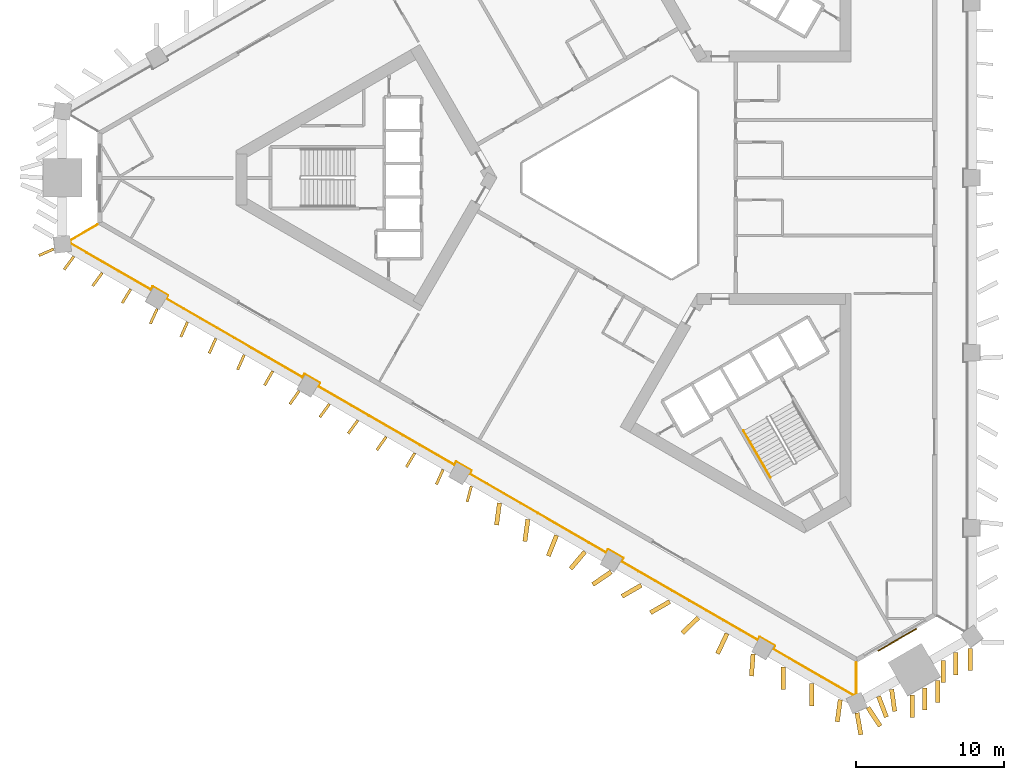
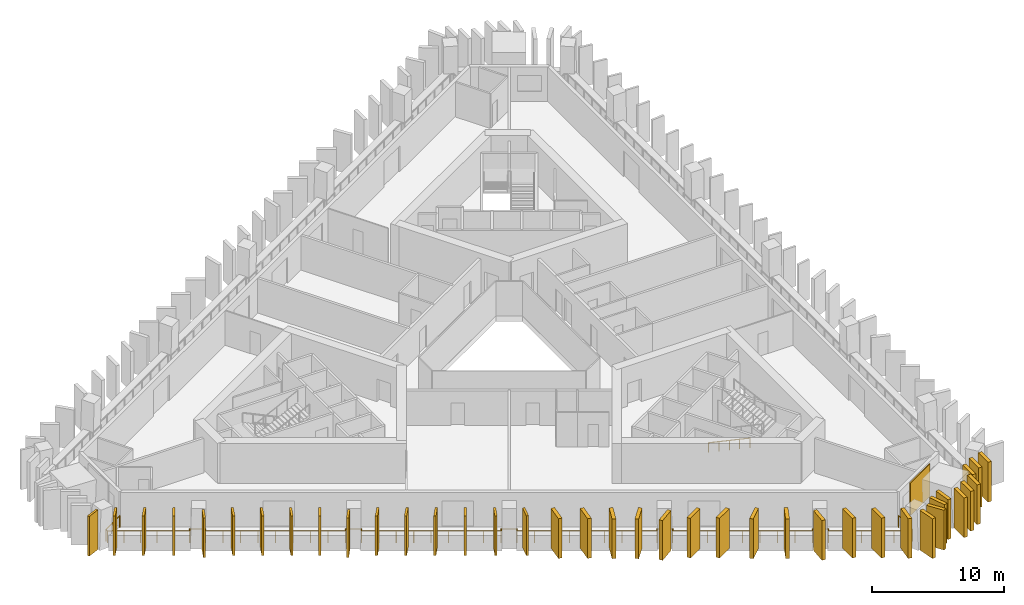
# One storey, part 8 of 11: 39 shading devices, 2 railings, 1 covering.
"""IFC4 building model written with IfcOpenShell, lengths in metres."""

from ifc_helpers import new_model, si_unit, direction, frame, frame_2d, origin, origin_2d, place, context, subcontext, project, spatial, rectangle, circle, extrude, material, layer, layer_set, type_object, element, save


model = new_model("IFC4")

# Units and contexts
model_context = context("Model", 3, precision=1e-05, world=origin(), true_north=direction((0.0, 1.0)))
body_context = subcontext(model_context, "Body", "Model", "MODEL_VIEW")
ifc_project = project(units=[si_unit("LENGTHUNIT", "METRE"), si_unit("AREAUNIT", "SQUARE_METRE"), si_unit("VOLUMEUNIT", "CUBIC_METRE"), si_unit("PLANEANGLEUNIT", "RADIAN"), si_unit("MASSUNIT", "GRAM", prefix="KILO")], contexts=[model_context])

# Site, building, storey
site_placement = place(None, origin())
site = spatial("IfcSite", under=ifc_project, at=site_placement, CompositionType="ELEMENT")
building_placement = place(site_placement, origin())
building = spatial("IfcBuilding", under=site, at=building_placement, Name="Jabali Bay Hotel Tower and Convention Centre", CompositionType="ELEMENT")
storey_placement = place(building_placement, frame((0.0, 0.0, 79.5)))
storey = spatial("IfcBuildingStorey", under=building, at=storey_placement, Name="L18", CompositionType="ELEMENT", Elevation=79.5)

# Railing
ifc_material_1 = material(Name="Glass", Category="glass")
railing_type_1 = type_object("IfcRailingType", Name="Loggia glass guard 1100", PredefinedType="BALUSTRADE", material=ifc_material_1)
railing_1_placement = place(storey_placement, frame((90.2265625, 47.305908203125, 0.0)))
element("IfcRailing", 1, at=railing_1_placement, inside=storey, type_object=railing_type_1, Name="Loggia glass guard L18", PredefinedType="BALUSTRADE", context=body_context, shape_type="SweptSolid", body=[
    extrude(circle(Radius=0.02490234375, at=origin_2d()), frame((0.0, 0.0, 1.0751953125), z_axis=(0.0, -1.0, 0.0), x_axis=(0.991444861374, 0.0, 0.13052619222)), (0.0, 0.0, 1.0), 2.110595703125),
    extrude(circle(Radius=0.02490234375, at=origin_2d()), frame((0.0, -2.110595703125, 1.0751953125), z_axis=(-0.918438029816, -0.395564894029, 0.0), x_axis=(0.392180781525, -0.910580665151, 0.13052619222)), (0.0, 0.0, 1.0), 0.21484375),
    extrude(circle(Radius=0.02490234375, at=origin_2d()), frame((-0.197265625, -2.195556640625, 1.0751953125), z_axis=(-0.866018034705, 0.500012763403, 0.0), x_axis=(-0.495735084898, -0.858609130365, 0.13052619222)), (0.0, 0.0, 1.0), 6.236083984375),
    extrude(circle(Radius=0.02490234375, at=origin_2d()), frame((-5.597900390625, 0.922607421875, 1.0751953125), z_axis=(0.499919672301, 0.866071776036, 0.0), x_axis=(-0.858662411932, 0.495642790202, 0.13052619222)), (0.0, 0.0, 1.0), 0.25),
    extrude(circle(Radius=0.02490234375, at=origin_2d()), frame((-5.472900390625, 1.13916015625, 1.0751953125), z_axis=(-0.866094119867, 0.499880961361, 0.0), x_axis=(-0.49560441044, -0.858684564609, 0.13052619222)), (0.0, 0.0, 1.0), 1.199951171875),
    extrude(circle(Radius=0.02490234375, at=origin_2d()), frame((-6.51220703125, 1.739013671875, 1.0751953125), z_axis=(-0.500342721131, -0.865827443207, 0.0), x_axis=(0.858420169404, -0.496062219791, 0.13052619222)), (0.0, 0.0, 1.0), 0.249755859375),
    extrude(circle(Radius=0.02490234375, at=origin_2d()), frame((-6.63720703125, 1.522705078125, 1.0751953125), z_axis=(-0.866033109494, 0.499986653082, 0.0), x_axis=(-0.495709197954, -0.858624076187, 0.13052619222)), (0.0, 0.0, 1.0), 10.612060546875),
    extrude(circle(Radius=0.02490234375, at=origin_2d()), frame((-15.82763671875, 6.82861328125, 1.0751953125), z_axis=(0.499919672301, 0.866071776036, 0.0), x_axis=(-0.858662411932, 0.495642790202, 0.13052619222)), (0.0, 0.0, 1.0), 0.25),
    extrude(circle(Radius=0.02490234375, at=origin_2d()), frame((-15.70263671875, 7.045166015625, 1.0751953125), z_axis=(-0.866006032174, 0.500033551112, 0.0), x_axis=(-0.495755694765, -0.858597230518, 0.13052619222)), (0.0, 0.0, 1.0), 1.2001953125),
    extrude(circle(Radius=0.02490234375, at=origin_2d()), frame((-16.741943359375, 7.645263671875, 1.0751953125), z_axis=(-0.499919672301, -0.866071776036, 0.0), x_axis=(0.858662411932, -0.495642790202, 0.13052619222)), (0.0, 0.0, 1.0), 0.25),
    extrude(circle(Radius=0.02490234375, at=origin_2d()), frame((-16.866943359375, 7.4287109375, 1.0751953125), z_axis=(-0.866023147778, 0.500003907497, 0.0), x_axis=(-0.495726304755, -0.858614199696, 0.13052619222)), (0.0, 0.0, 1.0), 10.6123046875),
    extrude(circle(Radius=0.02490234375, at=origin_2d()), frame((-26.057373046875, 12.73486328125, 1.0751953125), z_axis=(0.500342721131, 0.865827443207, 0.0), x_axis=(-0.858420169404, 0.496062219791, 0.13052619222)), (0.0, 0.0, 1.0), 0.249755859375),
    extrude(circle(Radius=0.02490234375, at=origin_2d()), frame((-25.932373046875, 12.951171875, 1.0751953125), z_axis=(-0.865955154139, 0.50012165622, 0.0), x_axis=(-0.495843046121, -0.858546787751, 0.13052619222)), (0.0, 0.0, 1.0), 1.199951171875),
    extrude(circle(Radius=0.02490234375, at=origin_2d()), frame((-26.971435546875, 13.55126953125, 1.0751953125), z_axis=(-0.499919672301, -0.866071776036, 0.0), x_axis=(0.858662411932, -0.495642790202, 0.13052619222)), (0.0, 0.0, 1.0), 0.25),
    extrude(circle(Radius=0.02490234375, at=origin_2d()), frame((-27.096435546875, 13.334716796875, 1.0751953125), z_axis=(-0.866023147778, 0.500003907497, 0.0), x_axis=(-0.495726304755, -0.858614199696, 0.13052619222)), (0.0, 0.0, 1.0), 10.6123046875),
    extrude(circle(Radius=0.02490234375, at=origin_2d()), frame((-36.286865234375, 18.640869140625, 1.0751953125), z_axis=(0.499919672301, 0.866071776036, 0.0), x_axis=(-0.858662411932, 0.495642790202, 0.13052619222)), (0.0, 0.0, 1.0), 0.25),
    extrude(circle(Radius=0.02490234375, at=origin_2d()), frame((-36.161865234375, 18.857421875, 1.0751953125), z_axis=(-0.866094119867, 0.499880961361, 0.0), x_axis=(-0.49560441044, -0.858684564609, 0.13052619222)), (0.0, 0.0, 1.0), 1.199951171875),
    extrude(circle(Radius=0.02490234375, at=origin_2d()), frame((-37.201171875, 19.457275390625, 1.0751953125), z_axis=(-0.499919672301, -0.866071776036, 0.0), x_axis=(0.858662411932, -0.495642790202, 0.13052619222)), (0.0, 0.0, 1.0), 0.25),
    extrude(circle(Radius=0.02490234375, at=origin_2d()), frame((-37.326171875, 19.24072265625, 1.0751953125), z_axis=(-0.866023147778, 0.500003907497, 0.0), x_axis=(-0.495726304755, -0.858614199696, 0.13052619222)), (0.0, 0.0, 1.0), 10.6123046875),
    extrude(circle(Radius=0.02490234375, at=origin_2d()), frame((-46.5166015625, 24.546875, 1.0751953125), z_axis=(0.499919672301, 0.866071776036, 0.0), x_axis=(-0.858662411932, 0.495642790202, 0.13052619222)), (0.0, 0.0, 1.0), 0.25),
    extrude(circle(Radius=0.02490234375, at=origin_2d()), frame((-46.3916015625, 24.763427734375, 1.0751953125), z_axis=(-0.865955154139, 0.50012165622, 0.0), x_axis=(-0.495843046121, -0.858546787751, 0.13052619222)), (0.0, 0.0, 1.0), 1.199951171875),
    extrude(circle(Radius=0.02490234375, at=origin_2d()), frame((-47.4306640625, 25.363525390625, 1.0751953125), z_axis=(-0.499919672301, -0.866071776036, 0.0), x_axis=(0.858662411932, -0.495642790202, 0.13052619222)), (0.0, 0.0, 1.0), 0.25),
    extrude(circle(Radius=0.02490234375, at=origin_2d()), frame((-47.5556640625, 25.14697265625, 1.0751953125), z_axis=(-0.866027821991, 0.499995811521, 0.0), x_axis=(-0.495718278041, -0.858618833919, 0.13052619222)), (0.0, 0.0, 1.0), 6.236328125),
    extrude(circle(Radius=0.02490234375, at=origin_2d()), frame((-52.95654296875, 28.26513671875, 1.0751953125), z_axis=(-0.116049066602, 0.993243481801, 0.0), x_axis=(-0.984746146125, -0.11505625075, 0.13052619222)), (0.0, 0.0, 1.0), 0.214599609375),
    extrude(circle(Radius=0.02490234375, at=origin_2d()), frame((-52.9814453125, 28.478271484375, 1.0751953125), z_axis=(0.866006443985, 0.500032837899, 0.0), x_axis=(-0.495754987653, 0.858597638805, 0.13052619222)), (0.0, 0.0, 1.0), 2.110595703125),
    extrude(circle(Radius=0.02001953125, at=origin_2d()), origin(), (0.0, 0.0, 1.0), 1.050048828125),
    extrude(circle(Radius=0.02001953125, at=origin_2d()), frame((0.0, -1.05517578125, 0.0)), (0.0, 0.0, 1.0), 1.050048828125),
    extrude(circle(Radius=0.02001953125, at=origin_2d()), frame((0.0, -2.110595703125, 0.0)), (0.0, 0.0, 1.0), 1.050048828125),
    extrude(circle(Radius=0.02001953125, at=origin_2d()), frame((-0.197265625, -2.195556640625, 0.0)), (0.0, 0.0, 1.0), 1.050048828125),
    extrude(circle(Radius=0.02001953125, at=origin_2d()), frame((-1.27734375, -1.572021484375, 0.0)), (0.0, 0.0, 1.0), 1.050048828125),
    extrude(circle(Radius=0.02001953125, at=origin_2d()), frame((-2.357421875, -0.9482421875, 0.0)), (0.0, 0.0, 1.0), 1.050048828125),
    extrude(circle(Radius=0.02001953125, at=origin_2d()), frame((-3.437744140625, -0.32470703125, 0.0)), (0.0, 0.0, 1.0), 1.050048828125),
    extrude(circle(Radius=0.02001953125, at=origin_2d()), frame((-4.517822265625, 0.299072265625, 0.0)), (0.0, 0.0, 1.0), 1.050048828125),
    extrude(circle(Radius=0.02001953125, at=origin_2d()), frame((-5.597900390625, 0.922607421875, 0.0)), (0.0, 0.0, 1.0), 1.050048828125),
    extrude(circle(Radius=0.02001953125, at=origin_2d()), frame((-5.472900390625, 1.13916015625, 0.0)), (0.0, 0.0, 1.0), 1.050048828125),
    extrude(circle(Radius=0.02001953125, at=origin_2d()), frame((-6.51220703125, 1.739013671875, 0.0)), (0.0, 0.0, 1.0), 1.050048828125),
    extrude(circle(Radius=0.02001953125, at=origin_2d()), frame((-6.63720703125, 1.522705078125, 0.0)), (0.0, 0.0, 1.0), 1.050048828125),
    extrude(circle(Radius=0.02001953125, at=origin_2d()), frame((-7.7861328125, 2.18603515625, 0.0)), (0.0, 0.0, 1.0), 1.050048828125),
    extrude(circle(Radius=0.02001953125, at=origin_2d()), frame((-8.934814453125, 2.84912109375, 0.0)), (0.0, 0.0, 1.0), 1.050048828125),
    extrude(circle(Radius=0.02001953125, at=origin_2d()), frame((-10.08349609375, 3.512451171875, 0.0)), (0.0, 0.0, 1.0), 1.050048828125),
    extrude(circle(Radius=0.02001953125, at=origin_2d()), frame((-11.232421875, 4.17578125, 0.0)), (0.0, 0.0, 1.0), 1.050048828125),
    extrude(circle(Radius=0.02001953125, at=origin_2d()), frame((-12.38134765625, 4.8388671875, 0.0)), (0.0, 0.0, 1.0), 1.050048828125),
    extrude(circle(Radius=0.02001953125, at=origin_2d()), frame((-13.530029296875, 5.502197265625, 0.0)), (0.0, 0.0, 1.0), 1.050048828125),
    extrude(circle(Radius=0.02001953125, at=origin_2d()), frame((-14.6787109375, 6.165283203125, 0.0)), (0.0, 0.0, 1.0), 1.050048828125),
    extrude(circle(Radius=0.02001953125, at=origin_2d()), frame((-15.82763671875, 6.82861328125, 0.0)), (0.0, 0.0, 1.0), 1.050048828125),
    extrude(circle(Radius=0.02001953125, at=origin_2d()), frame((-15.70263671875, 7.045166015625, 0.0)), (0.0, 0.0, 1.0), 1.050048828125),
    extrude(circle(Radius=0.02001953125, at=origin_2d()), frame((-16.741943359375, 7.645263671875, 0.0)), (0.0, 0.0, 1.0), 1.050048828125),
    extrude(circle(Radius=0.02001953125, at=origin_2d()), frame((-16.866943359375, 7.4287109375, 0.0)), (0.0, 0.0, 1.0), 1.050048828125),
    extrude(circle(Radius=0.02001953125, at=origin_2d()), frame((-18.015625, 8.092041015625, 0.0)), (0.0, 0.0, 1.0), 1.050048828125),
    extrude(circle(Radius=0.02001953125, at=origin_2d()), frame((-19.16455078125, 8.75537109375, 0.0)), (0.0, 0.0, 1.0), 1.050048828125),
    extrude(circle(Radius=0.02001953125, at=origin_2d()), frame((-20.3134765625, 9.41845703125, 0.0)), (0.0, 0.0, 1.0), 1.050048828125),
    extrude(circle(Radius=0.02001953125, at=origin_2d()), frame((-21.462158203125, 10.081787109375, 0.0)), (0.0, 0.0, 1.0), 1.050048828125),
    extrude(circle(Radius=0.02001953125, at=origin_2d()), frame((-22.61083984375, 10.7451171875, 0.0)), (0.0, 0.0, 1.0), 1.050048828125),
    extrude(circle(Radius=0.02001953125, at=origin_2d()), frame((-23.759765625, 11.408203125, 0.0)), (0.0, 0.0, 1.0), 1.050048828125),
    extrude(circle(Radius=0.02001953125, at=origin_2d()), frame((-24.90869140625, 12.071533203125, 0.0)), (0.0, 0.0, 1.0), 1.050048828125),
    extrude(circle(Radius=0.02001953125, at=origin_2d()), frame((-26.057373046875, 12.73486328125, 0.0)), (0.0, 0.0, 1.0), 1.050048828125),
    extrude(circle(Radius=0.02001953125, at=origin_2d()), frame((-25.932373046875, 12.951171875, 0.0)), (0.0, 0.0, 1.0), 1.050048828125),
    extrude(circle(Radius=0.02001953125, at=origin_2d()), frame((-26.971435546875, 13.55126953125, 0.0)), (0.0, 0.0, 1.0), 1.050048828125),
    extrude(circle(Radius=0.02001953125, at=origin_2d()), frame((-27.096435546875, 13.334716796875, 0.0)), (0.0, 0.0, 1.0), 1.050048828125),
    extrude(circle(Radius=0.02001953125, at=origin_2d()), frame((-28.2451171875, 13.998046875, 0.0)), (0.0, 0.0, 1.0), 1.050048828125),
    extrude(circle(Radius=0.02001953125, at=origin_2d()), frame((-29.39404296875, 14.6611328125, 0.0)), (0.0, 0.0, 1.0), 1.050048828125),
    extrude(circle(Radius=0.02001953125, at=origin_2d()), frame((-30.54296875, 15.324462890625, 0.0)), (0.0, 0.0, 1.0), 1.050048828125),
    extrude(circle(Radius=0.02001953125, at=origin_2d()), frame((-31.691650390625, 15.98779296875, 0.0)), (0.0, 0.0, 1.0), 1.050048828125),
    extrude(circle(Radius=0.02001953125, at=origin_2d()), frame((-32.84033203125, 16.651123046875, 0.0)), (0.0, 0.0, 1.0), 1.050048828125),
    extrude(circle(Radius=0.02001953125, at=origin_2d()), frame((-33.9892578125, 17.314453125, 0.0)), (0.0, 0.0, 1.0), 1.050048828125),
    extrude(circle(Radius=0.02001953125, at=origin_2d()), frame((-35.13818359375, 17.9775390625, 0.0)), (0.0, 0.0, 1.0), 1.050048828125),
    extrude(circle(Radius=0.02001953125, at=origin_2d()), frame((-36.286865234375, 18.640869140625, 0.0)), (0.0, 0.0, 1.0), 1.050048828125),
    extrude(circle(Radius=0.02001953125, at=origin_2d()), frame((-36.161865234375, 18.857421875, 0.0)), (0.0, 0.0, 1.0), 1.050048828125),
    extrude(circle(Radius=0.02001953125, at=origin_2d()), frame((-37.201171875, 19.457275390625, 0.0)), (0.0, 0.0, 1.0), 1.050048828125),
    extrude(circle(Radius=0.02001953125, at=origin_2d()), frame((-37.326171875, 19.24072265625, 0.0)), (0.0, 0.0, 1.0), 1.050048828125),
    extrude(circle(Radius=0.02001953125, at=origin_2d()), frame((-38.47509765625, 19.904052734375, 0.0)), (0.0, 0.0, 1.0), 1.050048828125),
    extrude(circle(Radius=0.02001953125, at=origin_2d()), frame((-39.623779296875, 20.5673828125, 0.0)), (0.0, 0.0, 1.0), 1.050048828125),
    extrude(circle(Radius=0.02001953125, at=origin_2d()), frame((-40.7724609375, 21.23046875, 0.0)), (0.0, 0.0, 1.0), 1.050048828125),
    extrude(circle(Radius=0.02001953125, at=origin_2d()), frame((-41.92138671875, 21.893798828125, 0.0)), (0.0, 0.0, 1.0), 1.050048828125),
    extrude(circle(Radius=0.02001953125, at=origin_2d()), frame((-43.0703125, 22.55712890625, 0.0)), (0.0, 0.0, 1.0), 1.050048828125),
    extrude(circle(Radius=0.02001953125, at=origin_2d()), frame((-44.218994140625, 23.22021484375, 0.0)), (0.0, 0.0, 1.0), 1.050048828125),
    extrude(circle(Radius=0.02001953125, at=origin_2d()), frame((-45.36767578125, 23.883544921875, 0.0)), (0.0, 0.0, 1.0), 1.050048828125),
    extrude(circle(Radius=0.02001953125, at=origin_2d()), frame((-46.5166015625, 24.546875, 0.0)), (0.0, 0.0, 1.0), 1.050048828125),
    extrude(circle(Radius=0.02001953125, at=origin_2d()), frame((-46.3916015625, 24.763427734375, 0.0)), (0.0, 0.0, 1.0), 1.050048828125),
    extrude(circle(Radius=0.02001953125, at=origin_2d()), frame((-47.4306640625, 25.363525390625, 0.0)), (0.0, 0.0, 1.0), 1.050048828125),
    extrude(circle(Radius=0.02001953125, at=origin_2d()), frame((-47.5556640625, 25.14697265625, 0.0)), (0.0, 0.0, 1.0), 1.050048828125),
    extrude(circle(Radius=0.02001953125, at=origin_2d()), frame((-48.6357421875, 25.7705078125, 0.0)), (0.0, 0.0, 1.0), 1.050048828125),
    extrude(circle(Radius=0.02001953125, at=origin_2d()), frame((-49.716064453125, 26.394287109375, 0.0)), (0.0, 0.0, 1.0), 1.050048828125),
    extrude(circle(Radius=0.02001953125, at=origin_2d()), frame((-50.796142578125, 27.017822265625, 0.0)), (0.0, 0.0, 1.0), 1.050048828125),
    extrude(circle(Radius=0.02001953125, at=origin_2d()), frame((-51.87646484375, 27.6416015625, 0.0)), (0.0, 0.0, 1.0), 1.050048828125),
    extrude(circle(Radius=0.02001953125, at=origin_2d()), frame((-52.95654296875, 28.26513671875, 0.0)), (0.0, 0.0, 1.0), 1.050048828125),
    extrude(circle(Radius=0.02001953125, at=origin_2d()), frame((-52.9814453125, 28.478271484375, 0.0)), (0.0, 0.0, 1.0), 1.050048828125),
    extrude(circle(Radius=0.02001953125, at=origin_2d()), frame((-52.0673828125, 29.005859375, 0.0)), (0.0, 0.0, 1.0), 1.050048828125),
    extrude(circle(Radius=0.02001953125, at=origin_2d()), frame((-51.153564453125, 29.53369140625, 0.0)), (0.0, 0.0, 1.0), 1.050048828125),
])

# Shading devices
ifc_material_2 = material(Name="Precast concrete C60", Category="concrete")
ifc_layer_1 = layer(ifc_material_2, 0.179931640625)
ifc_layer_set_1 = layer_set([ifc_layer_1], Name="Precast concrete C60")
shading_device_type_1 = type_object("IfcShadingDeviceType", Name="Precast fin 3680 x 1100", PredefinedType="USERDEFINED", material=ifc_layer_set_1)
shading_device_1_placement = place(storey_placement, frame((37.47900390625, 74.697021484375, 0.010009765625), z_axis=(0.0, 0.0, 1.0), x_axis=(-0.592229410148, -0.805769399863, 0.0)))
element("IfcShadingDevice", 2, at=shading_device_1_placement, inside=storey, type_object=shading_device_type_1, Name="Fin L18 074", ObjectType="FIN", PredefinedType="USERDEFINED", context=body_context, shape_type="SweptSolid", body=[
    extrude(rectangle(XDim=1.099853515625, YDim=0.179931640625, at=frame_2d((0.5498046875, 0.0))), origin(), (0.0, 0.0, 1.0), 3.679931640625),
])
shading_device_2_placement = place(storey_placement, frame((39.3935546875, 73.592041015625, 0.010009765625), z_axis=(0.0, 0.0, 1.0), x_axis=(-0.589938679947, -0.807448050281, 0.0)))
element("IfcShadingDevice", 3, at=shading_device_2_placement, inside=storey, type_object=shading_device_type_1, Name="Fin L18 075", ObjectType="FIN", PredefinedType="USERDEFINED", context=body_context, shape_type="SweptSolid", body=[
    extrude(rectangle(XDim=1.10009765625, YDim=0.179931640625, at=frame_2d((0.550048828125, 0.0))), origin(), (0.0, 0.0, 1.0), 3.679931640625),
])
shading_device_3_placement = place(storey_placement, frame((41.311767578125, 72.493408203125, 0.010009765625), z_axis=(0.0, 0.0, 1.0), x_axis=(-0.519383517788, -0.854541257898, 0.0)))
element("IfcShadingDevice", 4, at=shading_device_3_placement, inside=storey, type_object=shading_device_type_1, Name="Fin L18 076", ObjectType="FIN", PredefinedType="USERDEFINED", context=body_context, shape_type="SweptSolid", body=[
    extrude(rectangle(XDim=1.099853515625, YDim=0.179931640625, at=frame_2d((0.5498046875, 0.0))), origin(), (0.0, 0.0, 1.0), 3.679931640625),
])
shading_device_4_placement = place(storey_placement, frame((43.093994140625, 71.159423828125, 0.010009765625), z_axis=(0.0, 0.0, 1.0), x_axis=(-0.415240445453, -0.909711697441, 0.0)))
element("IfcShadingDevice", 5, at=shading_device_4_placement, inside=storey, type_object=shading_device_type_1, Name="Fin L18 077", ObjectType="FIN", PredefinedType="USERDEFINED", context=body_context, shape_type="SweptSolid", body=[
    extrude(rectangle(XDim=1.10009765625, YDim=0.179931640625, at=frame_2d((0.550048828125, 0.0))), origin(), (0.0, 0.0, 1.0), 3.679931640625),
])
shading_device_5_placement = place(storey_placement, frame((45.13671875, 70.2763671875, 0.010009765625), z_axis=(0.0, 0.0, 1.0), x_axis=(-0.405994290953, -0.913875612823, 0.0)))
element("IfcShadingDevice", 6, at=shading_device_5_placement, inside=storey, type_object=shading_device_type_1, Name="Fin L18 078", ObjectType="FIN", PredefinedType="USERDEFINED", context=body_context, shape_type="SweptSolid", body=[
    extrude(rectangle(XDim=1.099853515625, YDim=0.179931640625, at=frame_2d((0.5498046875, 0.0))), origin(), (0.0, 0.0, 1.0), 3.679931640625),
])
for number, where, z_axis, x_axis, name in (
    (7, (47.05126953125, 69.171142578125, 0.010009765625), (0.0, 0.0, 1.0), (-0.406097286264, -0.913829849638, 0.0), "Fin L18 079"),
    (8, (48.9658203125, 68.06591796875, 0.010009765625), (0.0, 0.0, 1.0), (-0.407908572916, -0.91302277964, 0.0), "Fin L18 080"),
    (9, (50.884521484375, 66.96826171875, 0.010009765625), (0.0, 0.0, 1.0), (-0.494680334355, -0.869075006431, 0.0), "Fin L18 081"),
):
    element("IfcShadingDevice", number, at=place(storey_placement, frame(where, z_axis=z_axis, x_axis=x_axis)), inside=storey, type_object=shading_device_type_1, Name=name, ObjectType="FIN", PredefinedType="USERDEFINED", context=body_context, shape_type="SweptSolid", body=[
        extrude(rectangle(XDim=1.10009765625, YDim=0.179931640625, at=frame_2d((0.550048828125, 0.0))), origin(), (0.0, 0.0, 1.0), 3.679931640625),
    ])
for number, where, z_axis, x_axis, name in (
    (10, (52.666748046875, 65.6337890625, 0.010009765625), (0.0, 0.0, 1.0), (-0.572195483159, -0.820117265428, 0.0), "Fin L18 082"),
    (11, (54.708740234375, 64.749755859375, 0.010009765625), (0.0, 0.0, 1.0), (-0.589543444377, -0.807736669461, 0.0), "Fin L18 083"),
    (12, (56.623046875, 63.644287109375, 0.010009765625), (0.0, 0.0, 1.0), (-0.59133479399, -0.806426166128, 0.0), "Fin L18 084"),
):
    element("IfcShadingDevice", number, at=place(storey_placement, frame(where, z_axis=z_axis, x_axis=x_axis)), inside=storey, type_object=shading_device_type_1, Name=name, ObjectType="FIN", PredefinedType="USERDEFINED", context=body_context, shape_type="SweptSolid", body=[
        extrude(rectangle(XDim=1.099853515625, YDim=0.179931640625, at=frame_2d((0.5498046875, 0.0))), origin(), (0.0, 0.0, 1.0), 3.679931640625),
    ])
shading_device_6_placement = place(storey_placement, frame((58.538330078125, 62.540283203125, 0.010009765625), z_axis=(0.0, 0.0, 1.0), x_axis=(-0.577937284887, -0.816081181463, 0.0)))
element("IfcShadingDevice", 13, at=shading_device_6_placement, inside=storey, type_object=shading_device_type_1, Name="Fin L18 085", ObjectType="FIN", PredefinedType="USERDEFINED", context=body_context, shape_type="SweptSolid", body=[
    extrude(rectangle(XDim=1.10009765625, YDim=0.179931640625, at=frame_2d((0.550048828125, 0.0))), origin(), (0.0, 0.0, 1.0), 3.679931640625),
])
shading_device_7_placement = place(storey_placement, frame((60.456298828125, 61.441162109375, 0.010009765625), z_axis=(0.0, 0.0, 1.0), x_axis=(-0.5109335666, -0.859620201322, 0.0)))
element("IfcShadingDevice", 14, at=shading_device_7_placement, inside=storey, type_object=shading_device_type_1, Name="Fin L18 086", ObjectType="FIN", PredefinedType="USERDEFINED", context=body_context, shape_type="SweptSolid", body=[
    extrude(rectangle(XDim=1.099853515625, YDim=0.179931640625, at=frame_2d((0.5498046875, 0.0))), origin(), (0.0, 0.0, 1.0), 3.679931640625),
])
shading_device_8_placement = place(storey_placement, frame((62.36669921875, 60.3291015625, 0.010009765625), z_axis=(0.0, 0.0, 1.0), x_axis=(-0.409903233535, -0.912129014525, 0.0)))
element("IfcShadingDevice", 15, at=shading_device_8_placement, inside=storey, type_object=shading_device_type_1, Name="Fin L18 087", ObjectType="FIN", PredefinedType="USERDEFINED", context=body_context, shape_type="SweptSolid", body=[
    extrude(rectangle(XDim=1.10009765625, YDim=0.179931640625, at=frame_2d((0.550048828125, 0.0))), origin(), (0.0, 0.0, 1.0), 3.679931640625),
])
shading_device_9_placement = place(storey_placement, frame((64.27392578125, 59.211181640625, 0.010009765625), z_axis=(0.0, 0.0, 1.0), x_axis=(-0.255935267954, -0.966693921889, 0.0)))
element("IfcShadingDevice", 16, at=shading_device_9_placement, inside=storey, type_object=shading_device_type_1, Name="Fin L18 088", ObjectType="FIN", PredefinedType="USERDEFINED", context=body_context, shape_type="SweptSolid", body=[
    extrude(rectangle(XDim=1.099853515625, YDim=0.179931640625, at=frame_2d((0.5498046875, 0.0))), origin(), (0.0, 0.0, 1.0), 3.679931640625),
])
shading_device_10_placement = place(storey_placement, frame((36.1298828125, 75.197998046875, 0.010009765625), z_axis=(0.0, 0.0, 1.0), x_axis=(-0.916833488552, -0.399269776303, 0.0)))
element("IfcShadingDevice", 17, at=shading_device_10_placement, inside=storey, type_object=shading_device_type_1, Name="Fin L18 115", ObjectType="FIN", PredefinedType="USERDEFINED", context=body_context, shape_type="SweptSolid", body=[
    extrude(rectangle(XDim=1.10009765625, YDim=0.179931640625, at=frame_2d((0.550048828125, 0.0))), origin(), (0.0, 0.0, 1.0), 3.679931640625),
])
ifc_layer_2 = layer(ifc_material_2, 0.300048828125)
ifc_layer_set_2 = layer_set([ifc_layer_2], Name="Precast concrete C60")
shading_device_type_2 = type_object("IfcShadingDeviceType", Name="Precast fin 3680 x 1500", PredefinedType="USERDEFINED", material=ifc_layer_set_2)
shading_device_11_placement = place(storey_placement, frame((66.171630859375, 58.0771484375, 0.010009765625), z_axis=(0.0, 0.0, 1.0), x_axis=(-0.134103640201, -0.990967312117, 0.0)))
element("IfcShadingDevice", 18, at=shading_device_11_placement, inside=storey, type_object=shading_device_type_2, Name="Fin L18 089", ObjectType="FIN", PredefinedType="USERDEFINED", context=body_context, shape_type="SweptSolid", body=[
    extrude(rectangle(XDim=1.500244140625, YDim=0.300048828125, at=frame_2d((0.75, 0.0))), origin(), (0.0, 0.0, 1.0), 3.679931640625),
])
for number, where, z_axis, x_axis, name in (
    (19, (68.086181640625, 56.971923828125, 0.010009765625), (0.0, 0.0, 1.0), (-0.134764568272, -0.990877646906, 0.0), "Fin L18 090"),
    (20, (70.01806640625, 55.897216796875, 0.010009765625), (0.0, 0.0, 1.0), (-0.370099520593, -0.928992112376, 0.0), "Fin L18 091"),
):
    element("IfcShadingDevice", number, at=place(storey_placement, frame(where, z_axis=z_axis, x_axis=x_axis)), inside=storey, type_object=shading_device_type_2, Name=name, ObjectType="FIN", PredefinedType="USERDEFINED", context=body_context, shape_type="SweptSolid", body=[
        extrude(rectangle(XDim=1.5, YDim=0.300048828125, at=frame_2d((0.75, 0.0))), origin(), (0.0, 0.0, 1.0), 3.679931640625),
    ])
for number, where, z_axis, x_axis, name in (
    (21, (71.93017578125, 54.787841796875, 0.010009765625), (0.0, 0.0, 1.0), (-0.642982097062, -0.765881206753, 0.0), "Fin L18 092"),
    (22, (73.696533203125, 53.42626953125, 0.010009765625), (0.0, 0.0, 1.0), (-0.824971726361, -0.56517400038, 0.0), "Fin L18 093"),
):
    element("IfcShadingDevice", number, at=place(storey_placement, frame(where, z_axis=z_axis, x_axis=x_axis)), inside=storey, type_object=shading_device_type_2, Name=name, ObjectType="FIN", PredefinedType="USERDEFINED", context=body_context, shape_type="SweptSolid", body=[
        extrude(rectangle(XDim=1.499755859375, YDim=0.300048828125, at=frame_2d((0.75, 0.0))), origin(), (0.0, 0.0, 1.0), 3.679931640625),
    ])
for number, where, z_axis, x_axis, name in (
    (23, (75.734619140625, 52.53515625, 0.010009765625), (0.0, 0.0, 1.0), (-0.865849406049, -0.500304713194, 0.0), "Fin L18 094"),
    (24, (77.649169921875, 51.4296875, 0.010009765625), (0.0, 0.0, 1.0), (-0.865738136993, -0.500497230918, 0.0), "Fin L18 095"),
    (25, (79.580322265625, 50.353515625, 0.010009765625), (0.0, 0.0, 1.0), (-0.719527644326, -0.694463799669, 0.0), "Fin L18 096"),
    (26, (81.509033203125, 49.273193359375, 0.010009765625), (0.0, 0.0, 1.0), (-0.425271823264, -0.905065675152, 0.0), "Fin L18 097"),
):
    element("IfcShadingDevice", number, at=place(storey_placement, frame(where, z_axis=z_axis, x_axis=x_axis)), inside=storey, type_object=shading_device_type_2, Name=name, ObjectType="FIN", PredefinedType="USERDEFINED", context=body_context, shape_type="SweptSolid", body=[
        extrude(rectangle(XDim=1.5, YDim=0.300048828125, at=frame_2d((0.75, 0.0))), origin(), (0.0, 0.0, 1.0), 3.679931640625),
    ])
shading_device_12_placement = place(storey_placement, frame((83.2685546875, 47.8994140625, 0.010009765625), z_axis=(0.0, 0.0, 1.0), x_axis=(-0.073883674495, -0.997266866312, 0.0)))
element("IfcShadingDevice", 27, at=shading_device_12_placement, inside=storey, type_object=shading_device_type_2, Name="Fin L18 098", ObjectType="FIN", PredefinedType="USERDEFINED", context=body_context, shape_type="SweptSolid", body=[
    extrude(rectangle(XDim=1.500244140625, YDim=0.300048828125, at=frame_2d((0.75, 0.0))), origin(), (0.0, 0.0, 1.0), 3.679931640625),
])
for number, where, z_axis, x_axis, name in (
    (28, (85.306640625, 47.008544921875, 0.010009765625), (0.0, 0.0, 1.0), (0.0, -1.0, 0.0), "Fin L18 099"),
    (29, (87.22119140625, 45.9033203125, 0.010009765625), (0.0, 0.0, 1.0), (0.0, -1.0, 0.0), "Fin L18 100"),
):
    element("IfcShadingDevice", number, at=place(storey_placement, frame(where, z_axis=z_axis, x_axis=x_axis)), inside=storey, type_object=shading_device_type_2, Name=name, ObjectType="FIN", PredefinedType="USERDEFINED", context=body_context, shape_type="SweptSolid", body=[
        extrude(rectangle(XDim=1.5, YDim=0.300048828125, at=frame_2d((0.75, 0.0))), origin(), (0.0, 0.0, 1.0), 3.679931640625),
    ])
shading_device_13_placement = place(storey_placement, frame((89.14453125, 44.813720703125, 0.010009765625), z_axis=(0.0, 0.0, 1.0), x_axis=(-0.134103640201, -0.990967312117, 0.0)))
element("IfcShadingDevice", 30, at=shading_device_13_placement, inside=storey, type_object=shading_device_type_2, Name="Fin L18 101", ObjectType="FIN", PredefinedType="USERDEFINED", context=body_context, shape_type="SweptSolid", body=[
    extrude(rectangle(XDim=1.500244140625, YDim=0.300048828125, at=frame_2d((0.75, 0.0))), origin(), (0.0, 0.0, 1.0), 3.679931640625),
])
for number, where, z_axis, x_axis, name in (
    (31, (91.0126953125, 44.28564453125, 0.010009765625), (0.0, 0.0, 1.0), (0.553347393305, -0.832950576158, 0.0), "Fin L18 102"),
    (32, (91.727783203125, 45.042236328125, 0.010009765625), (0.0, 0.0, 1.0), (0.352514223131, -0.935806455679, 0.0), "Fin L18 103"),
    (33, (92.607421875, 45.51318359375, 0.010009765625), (0.0, 0.0, 1.0), (0.138025233905, -0.990428712632, 0.0), "Fin L18 104"),
    (34, (93.98681640625, 45.118896484375, 0.010009765625), (0.0, 0.0, 1.0), (0.0, -1.0, 0.0), "Fin L18 105"),
    (35, (94.8505859375, 45.61767578125, 0.010009765625), (0.0, 0.0, 1.0), (0.0, -1.0, 0.0), "Fin L18 106"),
    (36, (95.71435546875, 46.116455078125, 0.010009765625), (0.0, 0.0, 1.0), (0.0, -1.0, 0.0), "Fin L18 107"),
    (37, (96.0888671875, 47.462646484375, 0.010009765625), (0.0, 0.0, 1.0), (0.0, -1.0, 0.0), "Fin L18 108"),
    (38, (96.935791015625, 47.990478515625, 0.010009765625), (0.0, 0.0, 1.0), (0.0, -1.0, 0.0), "Fin L18 109"),
    (39, (97.9189453125, 48.28271484375, 0.010009765625), (0.0, 0.0, 1.0), (0.0, -1.0, 0.0), "Fin L18 110"),
    (40, (90.2763671875, 43.9267578125, 0.010009765625), (0.0, 0.0, 1.0), (0.170571823167, -0.985345245658, 0.0), "Fin L18 116"),
):
    element("IfcShadingDevice", number, at=place(storey_placement, frame(where, z_axis=z_axis, x_axis=x_axis)), inside=storey, type_object=shading_device_type_2, Name=name, ObjectType="FIN", PredefinedType="USERDEFINED", context=body_context, shape_type="SweptSolid", body=[
        extrude(rectangle(XDim=1.5, YDim=0.300048828125, at=frame_2d((0.75, 0.0))), origin(), (0.0, 0.0, 1.0), 3.679931640625),
    ])

# Covering
ifc_material_3 = material(Name="Precast concrete C40/50", Category="concrete")
ifc_layer_3 = layer(ifc_material_3, 0.080078125)
ifc_layer_set_3 = layer_set([ifc_layer_3], Name="Precast concrete C40/50")
covering_type = type_object("IfcCoveringType", Name="Relief panel 3000 x 3000", PredefinedType="CLADDING", material=ifc_layer_set_3)
covering_placement = place(storey_placement, frame((92.983642578125, 48.8515625, 0.10009765625), z_axis=(0.0, 0.0, 1.0), x_axis=(-0.866025360727, -0.500000074577, 0.0)))
element("IfcCovering", 41, at=covering_placement, inside=storey, type_object=covering_type, Name="Relief panel L18", PredefinedType="CLADDING", context=body_context, shape_type="SweptSolid", body=[
    extrude(rectangle(XDim=3.0, YDim=0.080078125, at=origin_2d()), origin(), (0.0, 0.0, 1.0), 3.0),
])

# Railing
ifc_material_4 = material(Name="Steel Q355B", Category="steel")
railing_type_2 = type_object("IfcRailingType", Name="Stair handrail 900", PredefinedType="HANDRAIL", material=ifc_material_4)
railing_2_placement = place(storey_placement, frame((82.622802734375, 62.94677734375, 0.132080078125)))
element("IfcRailing", 42, at=railing_2_placement, inside=storey, type_object=railing_type_2, Name="L18 ST3 stair handrail 1", PredefinedType="HANDRAIL", context=body_context, shape_type="SweptSolid", body=[
    extrude(circle(Radius=0.02392578125, at=origin_2d()), frame((0.0, 0.0, 0.8759765625), z_axis=(0.45217862506, -0.783169739339, 0.426825081763), x_axis=(0.866018046521, 0.500012742938, 0.0)), (0.0, 0.0, 1.0), 4.025146484375),
    extrude(circle(Radius=0.02099609375, at=origin_2d()), origin(), (0.0, 0.0, 1.0), 0.851806640625),
    extrude(circle(Radius=0.02099609375, at=origin_2d()), frame((0.455078125, -0.7880859375, 0.429443359375)), (0.0, 0.0, 1.0), 0.851806640625),
    extrude(circle(Radius=0.02099609375, at=origin_2d()), frame((0.91015625, -1.576171875, 0.85888671875)), (0.0, 0.0, 1.0), 0.851806640625),
    extrude(circle(Radius=0.02099609375, at=origin_2d()), frame((1.364990234375, -2.3642578125, 1.28857421875)), (0.0, 0.0, 1.0), 0.851806640625),
    extrude(circle(Radius=0.02099609375, at=origin_2d()), frame((1.820068359375, -3.15234375, 1.718017578125)), (0.0, 0.0, 1.0), 0.851806640625),
])

save(model, "model.ifc")
